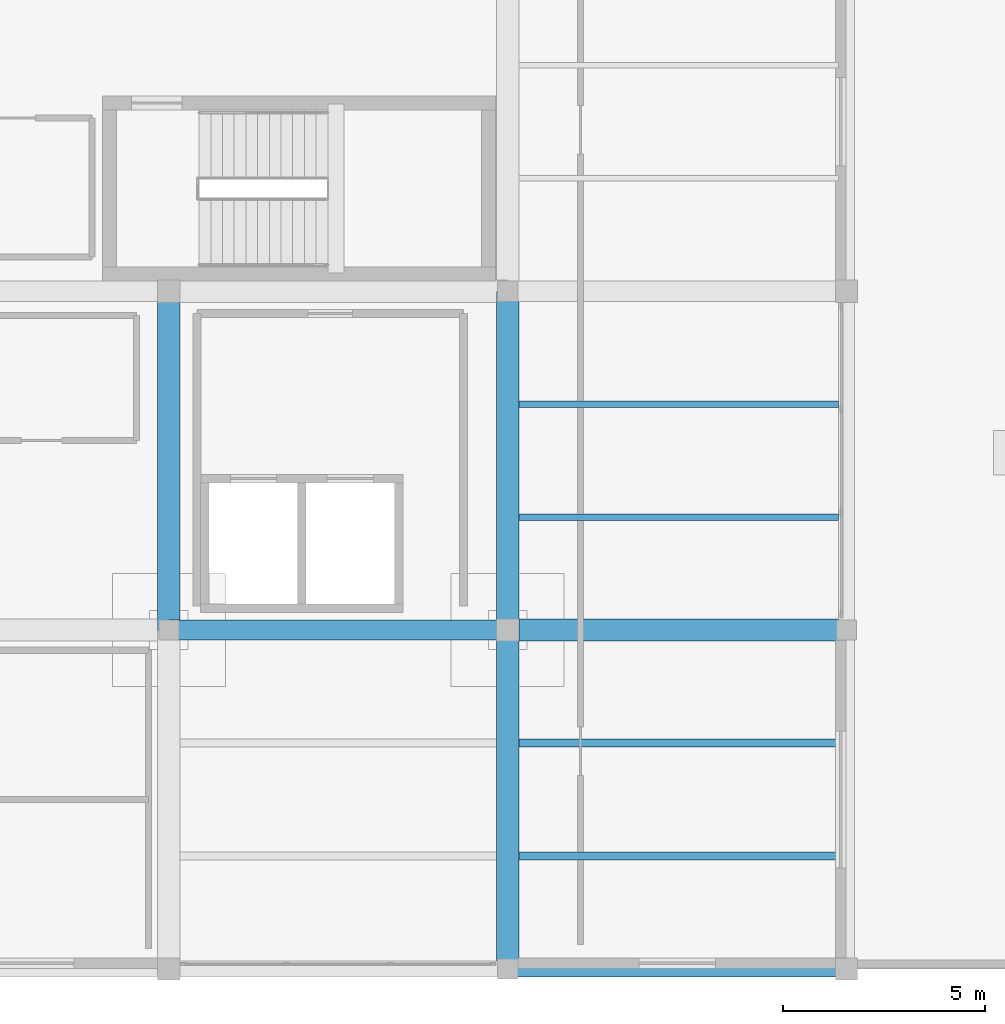
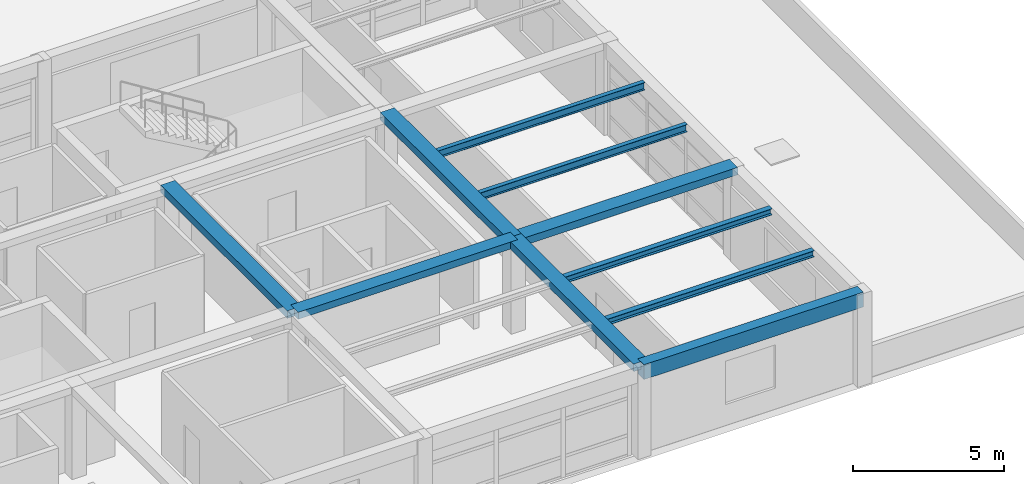
# One storey, part 7 of 22: 10 beams.
"""IFC4 building model written with IfcOpenShell, lengths in metres."""

from ifc_helpers import new_model, si_unit, direction, frame, origin, origin_2d, place, context, subcontext, project, spatial, rectangle, i_section, extrude, material, material_profile, profile_set, type_object, element, save


model = new_model("IFC4")

# Units and contexts
model_context = context("Model", 3, precision=1e-05, world=origin(), true_north=direction((0.0, 1.0)))
body_context = subcontext(model_context, "Body", "Model", "MODEL_VIEW")
ifc_project = project(units=[si_unit("LENGTHUNIT", "METRE"), si_unit("AREAUNIT", "SQUARE_METRE"), si_unit("VOLUMEUNIT", "CUBIC_METRE"), si_unit("PLANEANGLEUNIT", "RADIAN"), si_unit("MASSUNIT", "GRAM", prefix="KILO")], contexts=[model_context])

# Site, building, storey
site_placement = place(None, origin())
site = spatial("IfcSite", under=ifc_project, at=site_placement, CompositionType="ELEMENT")
building_placement = place(site_placement, origin())
building = spatial("IfcBuilding", under=site, at=building_placement, Name="Almacenes y Pasaje Nevantli", CompositionType="ELEMENT")
storey_placement = place(building_placement, frame((0.0, 0.0, 58.699951171875)))
storey = spatial("IfcBuildingStorey", under=building, at=storey_placement, Name="L14", CompositionType="ELEMENT", Elevation=58.699951171875)

# Beams
ifc_material_1 = material(Name="Concrete C35/45", Category="concrete")
ifc_material_profile_1 = material_profile(ifc_material_1, rectangle(XDim=0.39990234375, YDim=0.60009765625, at=origin_2d()), Name="RC-BM-400x600")
ifc_profile_set_1 = profile_set([ifc_material_profile_1], Name="Concrete C35/45")
beam_type_1 = type_object("IfcBeamType", Name="BM-RC-400x600", PredefinedType="SPANDREL", material=ifc_profile_set_1)
beam_1_placement = place(storey_placement, frame((142.800048828125, 67.199951171875, 3.420166015625), z_axis=(1.0, 0.0, 0.0), x_axis=(0.0, 1.0, 0.0)))
element("IfcBeam", 1, at=beam_1_placement, inside=storey, type_object=beam_type_1, Name="L14 East-West Reinforced Concrete Beam #3988", PredefinedType="SPANDREL", context=body_context, shape_type="SweptSolid", body=[
    extrude(rectangle(XDim=0.39990234375, YDim=0.60009765625, at=origin_2d()), origin(), (0.0, 0.0, 1.0), 8.39990234375),
])
ifc_material_2 = material(Name="Concrete C35/45", Category="concrete")
ifc_material_profile_2 = material_profile(ifc_material_2, rectangle(XDim=0.5, YDim=0.280029296875, at=origin_2d()), Name="RC-BM-500x280")
ifc_profile_set_2 = profile_set([ifc_material_profile_2], Name="Concrete C35/45")
beam_type_2 = type_object("IfcBeamType", Name="BM-RC-500x280", PredefinedType="BEAM", material=ifc_profile_set_2)
beam_2_placement = place(storey_placement, frame((134.39990234375, 75.60009765625, 3.580078125), z_axis=(1.0, 0.0, 0.0), x_axis=(0.0, 1.0, 0.0)))
element("IfcBeam", 2, at=beam_2_placement, inside=storey, type_object=beam_type_2, Name="L14 East-West Reinforced Concrete Beam #3991", PredefinedType="BEAM", context=body_context, shape_type="SweptSolid", body=[
    extrude(rectangle(XDim=0.5, YDim=0.280029296875, at=origin_2d()), origin(), (0.0, 0.0, 1.0), 8.400146484375),
])
ifc_material_3 = material(Name="Concrete C35/45", Category="concrete")
ifc_material_profile_3 = material_profile(ifc_material_3, rectangle(XDim=0.550048828125, YDim=0.300048828125, at=origin_2d()), Name="RC-BM-550x300")
ifc_profile_set_3 = profile_set([ifc_material_profile_3], Name="Concrete C35/45")
beam_type_3 = type_object("IfcBeamType", Name="BM-RC-550x300", PredefinedType="BEAM", material=ifc_profile_set_3)
for number, where, z_axis, x_axis, name in (
    (3, (142.800048828125, 75.60009765625, 3.570068359375), (1.0, 0.0, 0.0), (0.0, 1.0, 0.0), "L14 East-West Reinforced Concrete Beam #3992"),
    (4, (134.39990234375, 75.60009765625, 3.570068359375), (0.0, 1.0, 0.0), (-1.0, 0.0, 0.0), "L14 North-South Reinforced Concrete Beam #4007"),
):
    element("IfcBeam", number, at=place(storey_placement, frame(where, z_axis=z_axis, x_axis=x_axis)), inside=storey, type_object=beam_type_3, Name=name, PredefinedType="BEAM", context=body_context, shape_type="SweptSolid", body=[
        extrude(rectangle(XDim=0.550048828125, YDim=0.300048828125, at=origin_2d()), origin(), (0.0, 0.0, 1.0), 8.39990234375),
    ])
beam_3_placement = place(storey_placement, frame((142.800048828125, 67.199951171875, 3.570068359375), z_axis=(0.0, 1.0, 0.0), x_axis=(-1.0, 0.0, 0.0)))
element("IfcBeam", 5, at=beam_3_placement, inside=storey, type_object=beam_type_3, Name="L14 North-South Reinforced Concrete Beam #4008", PredefinedType="BEAM", context=body_context, shape_type="SweptSolid", body=[
    extrude(rectangle(XDim=0.550048828125, YDim=0.300048828125, at=origin_2d()), origin(), (0.0, 0.0, 1.0), 8.400146484375),
])
beam_4_placement = place(storey_placement, frame((142.800048828125, 75.60009765625, 3.570068359375), z_axis=(0.0, 1.0, 0.0), x_axis=(-1.0, 0.0, 0.0)))
element("IfcBeam", 6, at=beam_4_placement, inside=storey, type_object=beam_type_3, Name="L14 North-South Reinforced Concrete Beam #4009", PredefinedType="BEAM", context=body_context, shape_type="SweptSolid", body=[
    extrude(rectangle(XDim=0.550048828125, YDim=0.300048828125, at=origin_2d()), origin(), (0.0, 0.0, 1.0), 8.39990234375),
])
ifc_material_4 = material(Name="Steel ASTM A992", Category="steel")
ifc_material_profile_4 = material_profile(ifc_material_4, i_section(OverallWidth=0.2041015625, OverallDepth=0.258056640625, WebThickness=0.008056640625, FlangeThickness=0.013427734375, at=origin_2d()), Name="IR 254x58.0")
ifc_profile_set_4 = profile_set([ifc_material_profile_4], Name="Steel ASTM A992")
beam_type_4 = type_object("IfcBeamType", Name="BM-STL-IR-254x58p0", PredefinedType="JOIST", material=ifc_profile_set_4)
for number, where, z_axis, x_axis, name in (
    (7, (143.074951171875, 70.0, 3.5830078125), (1.0, 0.0, 0.0), (0.0, 1.0, 0.0), "L14 Secondary Steel Floor Joist #1597"),
    (8, (143.074951171875, 72.800048828125, 3.5830078125), (1.0, 0.0, 0.0), (0.0, 1.0, 0.0), "L14 Secondary Steel Floor Joist #1598"),
):
    element("IfcBeam", number, at=place(storey_placement, frame(where, z_axis=z_axis, x_axis=x_axis)), inside=storey, type_object=beam_type_4, Name=name, PredefinedType="JOIST", context=body_context, shape_type="SweptSolid", body=[
        extrude(i_section(OverallWidth=0.2041015625, OverallDepth=0.258056640625, WebThickness=0.008056640625, FlangeThickness=0.013427734375, at=origin_2d()), origin(), (0.0, 0.0, 1.0), 7.925048828125),
    ])
ifc_material_5 = material(Name="Steel ASTM A992", Category="steel")
ifc_material_profile_5 = material_profile(ifc_material_5, i_section(OverallWidth=0.1650390625, OverallDepth=0.306884765625, WebThickness=0.006591796875, FlangeThickness=0.01025390625, at=origin_2d()), Name="IR 305x44.6")
ifc_profile_set_5 = profile_set([ifc_material_profile_5], Name="Steel ASTM A992")
beam_type_5 = type_object("IfcBeamType", Name="BM-STL-IR-305x44p6", PredefinedType="JOIST", material=ifc_profile_set_5)
for number, where, z_axis, x_axis, name in (
    (9, (143.074951171875, 78.39990234375, 3.55859375), (1.0, 0.0, 0.0), (0.0, 1.0, 0.0), "L14 Secondary Steel Floor Joist #1599"),
    (10, (143.074951171875, 81.199951171875, 3.55859375), (1.0, 0.0, 0.0), (0.0, 1.0, 0.0), "L14 Secondary Steel Floor Joist #1600"),
):
    element("IfcBeam", number, at=place(storey_placement, frame(where, z_axis=z_axis, x_axis=x_axis)), inside=storey, type_object=beam_type_5, Name=name, PredefinedType="JOIST", context=body_context, shape_type="SweptSolid", body=[
        extrude(i_section(OverallWidth=0.1650390625, OverallDepth=0.306884765625, WebThickness=0.006591796875, FlangeThickness=0.01025390625, at=origin_2d()), origin(), (0.0, 0.0, 1.0), 7.925048828125),
    ])

save(model, "model.ifc")
